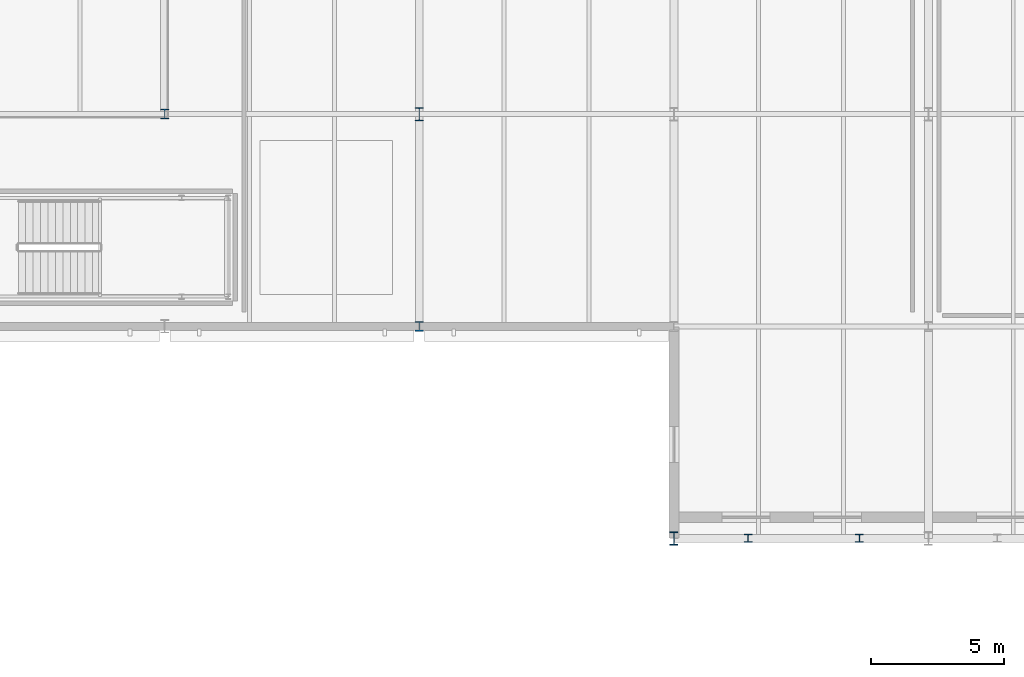
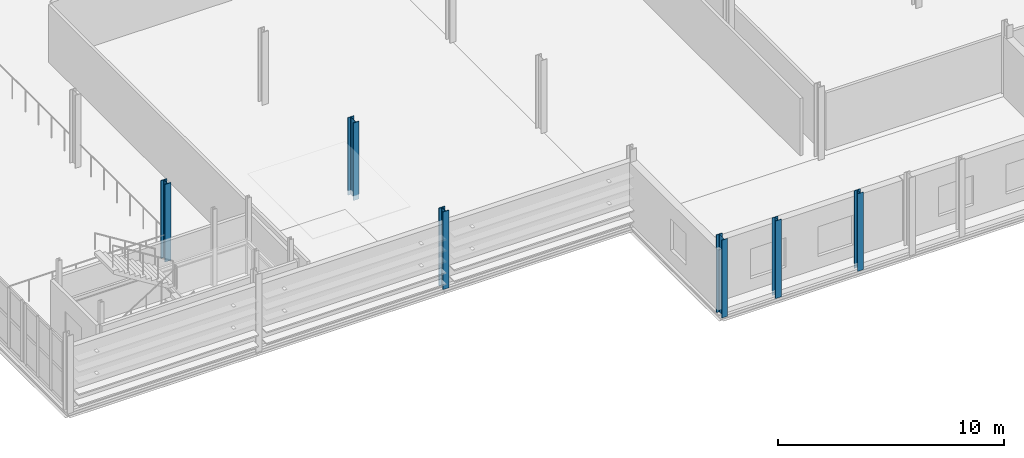
# One storey, part 3 of 78: 6 columns.
"""IFC4 building model written with IfcOpenShell, lengths in metres."""

from ifc_helpers import new_model, si_unit, direction, frame, origin, origin_2d, place, context, subcontext, project, spatial, i_section, extrude, material, material_profile, profile_set, type_object, element, save


model = new_model("IFC4")

# Units and contexts
model_context = context("Model", 3, precision=1e-05, world=origin(), true_north=direction((0.0, 1.0)))
body_context = subcontext(model_context, "Body", "Model", "MODEL_VIEW")
ifc_project = project(units=[si_unit("LENGTHUNIT", "METRE"), si_unit("AREAUNIT", "SQUARE_METRE"), si_unit("VOLUMEUNIT", "CUBIC_METRE"), si_unit("PLANEANGLEUNIT", "RADIAN"), si_unit("MASSUNIT", "GRAM", prefix="KILO")], contexts=[model_context])

# Site, building, storey
site_placement = place(None, origin())
site = spatial("IfcSite", under=ifc_project, at=site_placement, CompositionType="ELEMENT")
building_placement = place(site_placement, origin())
building = spatial("IfcBuilding", under=site, at=building_placement, Name="Alderhovde Museum", CompositionType="ELEMENT")
storey_placement = place(building_placement, frame((0.0, 0.0, 4.5)))
storey = spatial("IfcBuildingStorey", under=building, at=storey_placement, Name="L01", CompositionType="ELEMENT", Elevation=4.5)

# Columns
ifc_material_1 = material(Name="Steel S355J2", Category="steel")
ifc_material_profile_1 = material_profile(ifc_material_1, i_section(OverallWidth=0.300048828125, OverallDepth=0.300048828125, WebThickness=0.010986328125, FlangeThickness=0.01904296875, FilletRadius=0.027099609375, at=origin_2d()), Name="HEB 300")
ifc_profile_set_1 = profile_set([ifc_material_profile_1], Name="Steel S355J2")
column_type_1 = type_object("IfcColumnType", Name="COL-HEB300", PredefinedType="COLUMN", material=ifc_profile_set_1)
for number, where, z_axis, x_axis, name in (
    (1, (50.800048828125, 40.0, -0.260009765625), (0.0, 0.0, 1.0), (1.0, 0.0, 0.0), "L01 Beaux-Arts Portico Colonnade Column X=50.8"),
    (2, (55.0, 40.0, -0.260009765625), (0.0, 0.0, 1.0), (1.0, 0.0, 0.0), "L01 Beaux-Arts Portico Colonnade Column X=55.0"),
):
    element("IfcColumn", number, at=place(storey_placement, frame(where, z_axis=z_axis, x_axis=x_axis)), inside=storey, type_object=column_type_1, Name=name, PredefinedType="COLUMN", context=body_context, shape_type="SweptSolid", body=[
        extrude(i_section(OverallWidth=0.300048828125, OverallDepth=0.300048828125, WebThickness=0.010986328125, FlangeThickness=0.01904296875, FilletRadius=0.027099609375, at=origin_2d()), origin(), (0.0, 0.0, 1.0), 4.199951171875),
    ])
ifc_material_2 = material(Name="Steel S355J2", Category="steel")
ifc_material_profile_2 = material_profile(ifc_material_2, i_section(OverallWidth=0.300048828125, OverallDepth=0.5, WebThickness=0.014404296875, FlangeThickness=0.028076171875, FilletRadius=0.027099609375, at=origin_2d()), Name="HEB 500")
ifc_profile_set_2 = profile_set([ifc_material_profile_2], Name="Steel S355J2")
column_type_2 = type_object("IfcColumnType", Name="COL-HEB500", PredefinedType="COLUMN", material=ifc_profile_set_2)
for number, where, z_axis, x_axis, name in (
    (3, (38.39990234375, 56.0, -0.260009765625), (0.0, 0.0, 1.0), (1.0, 0.0, 0.0), "L01 Column (38.4, 56.0)"),
    (4, (48.0, 40.0, -0.260009765625), (0.0, 0.0, 1.0), (1.0, 0.0, 0.0), "L01 Column (48.0, 40.0)"),
):
    element("IfcColumn", number, at=place(storey_placement, frame(where, z_axis=z_axis, x_axis=x_axis)), inside=storey, type_object=column_type_2, Name=name, PredefinedType="COLUMN", context=body_context, shape_type="SweptSolid", body=[
        extrude(i_section(OverallWidth=0.300048828125, OverallDepth=0.5, WebThickness=0.014404296875, FlangeThickness=0.028076171875, FilletRadius=0.027099609375, at=origin_2d()), origin(), (0.0, 0.0, 1.0), 4.199951171875),
    ])
ifc_material_3 = material(Name="Steel S355J2", Category="steel")
ifc_material_profile_3 = material_profile(ifc_material_3, i_section(OverallWidth=0.30908203125, OverallDepth=0.376953125, WebThickness=0.02099609375, FlangeThickness=0.0400390625, FilletRadius=0.027099609375, at=origin_2d()), Name="HEM 340")
ifc_profile_set_3 = profile_set([ifc_material_profile_3], Name="Steel S355J2")
column_type_3 = type_object("IfcColumnType", Name="COL-HEM340", PredefinedType="COLUMN", material=ifc_profile_set_3)
for number, where, z_axis, x_axis, name in (
    (5, (28.800048828125, 56.0, -0.260009765625), (0.0, 0.0, 1.0), (1.0, 0.0, 0.0), "L01 Column (28.8, 56.0)"),
    (6, (38.39990234375, 48.0, -0.260009765625), (0.0, 0.0, 1.0), (1.0, 0.0, 0.0), "L01 Column (38.4, 48.0)"),
):
    element("IfcColumn", number, at=place(storey_placement, frame(where, z_axis=z_axis, x_axis=x_axis)), inside=storey, type_object=column_type_3, Name=name, PredefinedType="COLUMN", context=body_context, shape_type="SweptSolid", body=[
        extrude(i_section(OverallWidth=0.30908203125, OverallDepth=0.376953125, WebThickness=0.02099609375, FlangeThickness=0.0400390625, FilletRadius=0.027099609375, at=origin_2d()), origin(), (0.0, 0.0, 1.0), 4.199951171875),
    ])

save(model, "model.ifc")
